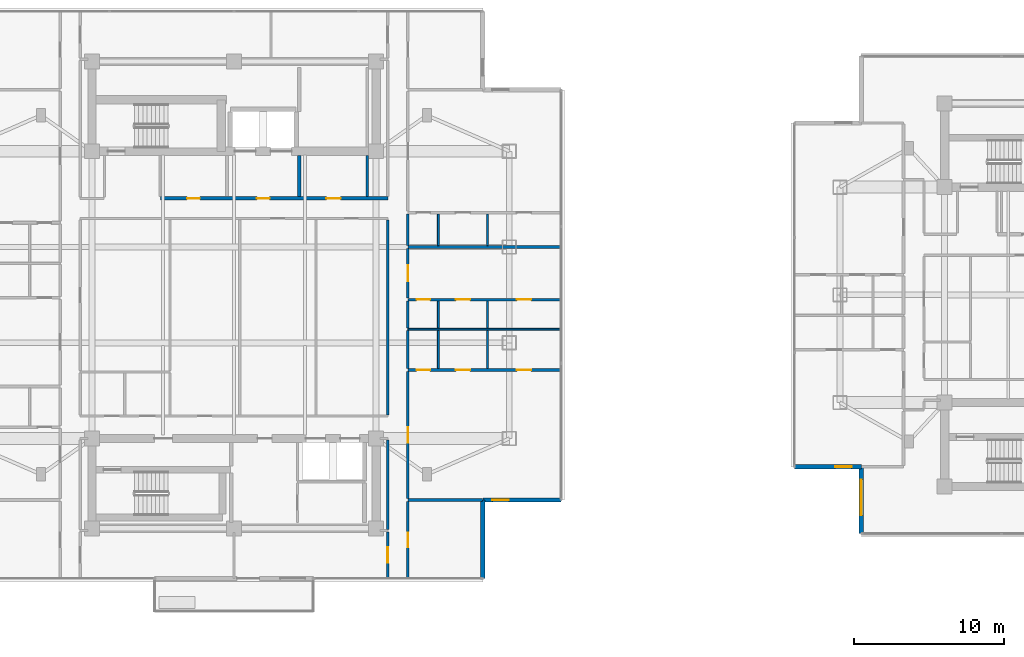
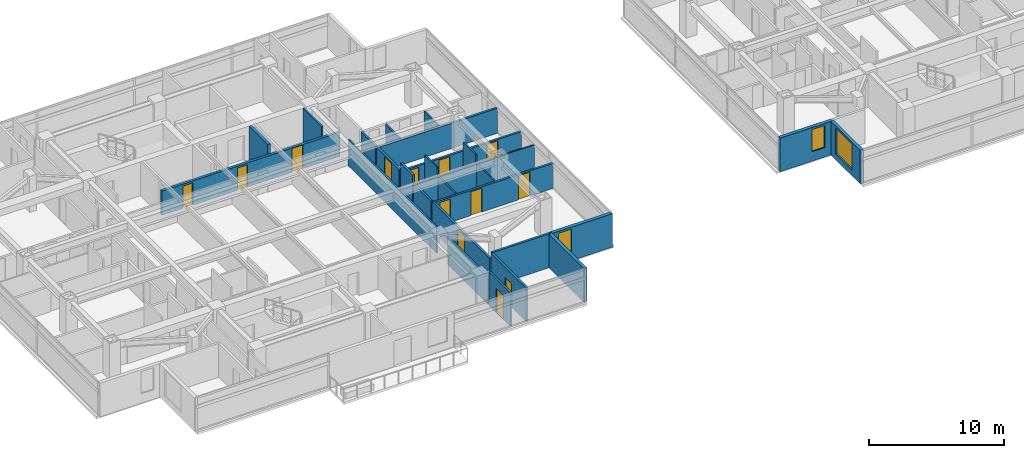
# One storey, part 14 of 25: 27 walls, 13 doors, 3 windows, 16 openings.
"""IFC4 building model written with IfcOpenShell, lengths in metres."""

from ifc_helpers import new_model, si_unit, direction, frame, frame_2d, origin, place, context, subcontext, project, spatial, rectangle, extrude, material, layer, layer_set, type_object, element, fill, save


model = new_model("IFC4")

# Units and contexts
model_context = context("Model", 3, precision=1e-05, world=origin(), true_north=direction((0.0, 1.0)))
body_context = subcontext(model_context, "Body", "Model", "MODEL_VIEW")
ifc_project = project(units=[si_unit("LENGTHUNIT", "METRE"), si_unit("AREAUNIT", "SQUARE_METRE"), si_unit("VOLUMEUNIT", "CUBIC_METRE"), si_unit("PLANEANGLEUNIT", "RADIAN"), si_unit("MASSUNIT", "GRAM", prefix="KILO")], contexts=[model_context])

# Site, building, storey
site_placement = place(None, origin())
site = spatial("IfcSite", under=ifc_project, at=site_placement, CompositionType="ELEMENT")
building_placement = place(site_placement, origin())
building = spatial("IfcBuilding", under=site, at=building_placement, Name="Mirazonda Arch Towers", CompositionType="ELEMENT")
storey_placement = place(building_placement, frame((0.0, 0.0, 180.39990234375)))
storey = spatial("IfcBuildingStorey", under=building, at=storey_placement, Name="L51", CompositionType="ELEMENT", Elevation=180.39990234375)

# Wall, opening, window
ifc_material_1 = material(Name="Precast Concrete C40/50", Category="concrete")
ifc_layer_1 = layer(ifc_material_1, 0.280029296875, Name="WALL-EXT-WALL-280")
ifc_layer_set_1 = layer_set([ifc_layer_1], Name="Precast Concrete C40/50")
wall_type_1 = type_object("IfcWallType", Name="WALL-EXT-WALL-280", PredefinedType="SOLIDWALL", material=ifc_layer_set_1)
wall_1_placement = place(storey_placement, frame((37.125, 14.291015625, 0.0), z_axis=(0.0, 0.0, 1.0), x_axis=(1.0, 0.0, 0.0)))
wall_1 = element("IfcWall", 1, at=wall_1_placement, inside=storey, type_object=wall_type_1, Name="L51 T1 Corner Notch Return Wall WL-L51-T1-CSE1", PredefinedType="SOLIDWALL", context=body_context, shape_type="SweptSolid", body=[
    extrude(rectangle(XDim=5.2451171875, YDim=0.280029296875, at=frame_2d((2.62255859375, 0.0))), origin(), (0.0, 0.0, 1.0), 3.030029296875),
])
opening_1_placement = place(wall_1_placement, frame((0.64990234375, 0.0, 0.85009765625)))
opening_1 = element("IfcOpeningElement", 2, at=opening_1_placement, cuts=wall_1, Name="Opening WN-108", PredefinedType="OPENING", context=body_context, shape_type="SweptSolid", body=[
    extrude(rectangle(XDim=1.10009765625, YDim=2.0, at=frame_2d((0.550048828125, 1.0))), frame((0.0, 0.14990234375, 0.0), z_axis=(0.0, -1.0, 0.0), x_axis=(1.0, 0.0, 0.0)), (0.0, 0.0, 1.0), 0.300048828125),
])
ifc_material_2 = material(Name="Insulated Low-E Solar Glass", Category="glass")
window_type_1 = type_object("IfcWindowType", Name="WIN-NOTCH-1100x2000", PartitioningType="SINGLE_PANEL", PredefinedType="WINDOW", material=ifc_material_2)
window_1_placement = place(opening_1_placement, origin())
window_1 = element("IfcWindow", 3, at=window_1_placement, inside=storey, type_object=window_type_1, Name="L51 Punched Facade Window WN-L51-T1-CSE1", OverallHeight=2.0, OverallWidth=1.10009765625, PartitioningType="SINGLE_PANEL", PredefinedType="WINDOW", context=body_context, shape_type="SweptSolid", body=[
    extrude(rectangle(XDim=1.10009765625, YDim=2.0, at=frame_2d((0.550048828125, 1.0))), frame((0.0, 0.030029296875, 0.0), z_axis=(0.0, -1.0, 0.0), x_axis=(1.0, 0.0, 0.0)), (0.0, 0.0, 1.0), 0.06005859375),
])
fill(opening_1, window_1)

# Wall
wall_2_placement = place(storey_placement, frame((37.125, 9.0458984375, 0.0), z_axis=(0.0, 0.0, 1.0), x_axis=(0.0, 1.0, 0.0)))
element("IfcWall", 4, at=wall_2_placement, inside=storey, type_object=wall_type_1, Name="L51 T1 Corner Notch Return Wall WL-L51-T1-CSE2", PredefinedType="SOLIDWALL", context=body_context, shape_type="SweptSolid", body=[
    extrude(rectangle(XDim=5.2451171875, YDim=0.280029296875, at=frame_2d((2.62255859375, 0.0))), origin(), (0.0, 0.0, 1.0), 3.030029296875),
])

# Wall, opening, window
wall_3_placement = place(storey_placement, frame((62.4287109375, 16.50732421875, 0.0), z_axis=(0.0, 0.0, 1.0), x_axis=(0.0, -1.0, 0.0)))
wall_3 = element("IfcWall", 5, at=wall_3_placement, inside=storey, type_object=wall_type_1, Name="L51 T2 Notched SW Corner Wall WL-L51-T2-CSW", PredefinedType="SOLIDWALL", context=body_context, shape_type="SweptSolid", body=[
    extrude(rectangle(XDim=4.46533203125, YDim=0.280029296875, at=frame_2d((2.232666015625, 0.0))), origin(), (0.0, 0.0, 1.0), 3.030029296875),
])
opening_2_placement = place(wall_3_placement, frame((0.85009765625, 0.0, 0.530029296875)))
opening_2 = element("IfcOpeningElement", 6, at=opening_2_placement, cuts=wall_3, Name="Opening WN-121", PredefinedType="OPENING", context=body_context, shape_type="SweptSolid", body=[
    extrude(rectangle(XDim=2.39990234375, YDim=2.35009765625, at=frame_2d((1.199951171875, 1.175048828125))), frame((0.0, 0.14990234375, 0.0), z_axis=(0.0, -1.0, 0.0), x_axis=(1.0, 0.0, 0.0)), (0.0, 0.0, 1.0), 0.300048828125),
])
window_type_2 = type_object("IfcWindowType", Name="WIN-PENT-2400x2350", PartitioningType="SINGLE_PANEL", PredefinedType="WINDOW", material=ifc_material_2)
window_2_placement = place(opening_2_placement, origin())
window_2 = element("IfcWindow", 7, at=window_2_placement, inside=storey, type_object=window_type_2, Name="L51 Punched Facade Window WN-L51-T2-CSW", OverallHeight=2.35009765625, OverallWidth=2.39990234375, PartitioningType="SINGLE_PANEL", PredefinedType="WINDOW", context=body_context, shape_type="SweptSolid", body=[
    extrude(rectangle(XDim=2.39990234375, YDim=2.35009765625, at=frame_2d((1.199951171875, 1.175048828125))), frame((0.0, 0.030029296875, 0.0), z_axis=(0.0, -1.0, 0.0), x_axis=(1.0, 0.0, 0.0)), (0.0, 0.0, 1.0), 0.06005859375),
])
fill(opening_2, window_2)

wall_4_placement = place(storey_placement, frame((57.96337890625, 16.50732421875, 0.0), z_axis=(0.0, 0.0, 1.0), x_axis=(1.0, 0.0, 0.0)))
wall_4 = element("IfcWall", 8, at=wall_4_placement, inside=storey, type_object=wall_type_1, Name="L51 T2 Corner Notch Return Wall WL-L51-T2-CSW2", PredefinedType="SOLIDWALL", context=body_context, shape_type="SweptSolid", body=[
    extrude(rectangle(XDim=4.46533203125, YDim=0.280029296875, at=frame_2d((2.232666015625, 0.0))), origin(), (0.0, 0.0, 1.0), 3.030029296875),
])
opening_3_placement = place(wall_4_placement, frame((2.715087890625, 0.0, 0.85009765625)))
opening_3 = element("IfcOpeningElement", 9, at=opening_3_placement, cuts=wall_4, Name="Opening WN-108", PredefinedType="OPENING", context=body_context, shape_type="SweptSolid", body=[
    extrude(rectangle(XDim=1.10009765625, YDim=2.0, at=frame_2d((0.550048828125, 1.0))), frame((0.0, 0.14990234375, 0.0), z_axis=(0.0, -1.0, 0.0), x_axis=(1.0, 0.0, 0.0)), (0.0, 0.0, 1.0), 0.300048828125),
])
window_3_placement = place(opening_3_placement, origin())
window_3 = element("IfcWindow", 10, at=window_3_placement, inside=storey, type_object=window_type_1, Name="L51 Punched Facade Window WN-L51-T2-CSW2", OverallHeight=2.0, OverallWidth=1.10009765625, PartitioningType="SINGLE_PANEL", PredefinedType="WINDOW", context=body_context, shape_type="SweptSolid", body=[
    extrude(rectangle(XDim=1.10009765625, YDim=2.0, at=frame_2d((0.550048828125, 1.0))), frame((0.0, 0.030029296875, 0.0), z_axis=(0.0, -1.0, 0.0), x_axis=(1.0, 0.0, 0.0)), (0.0, 0.0, 1.0), 0.06005859375),
])
fill(opening_3, window_3)

# Wall, openings, doors
ifc_material_3 = material(Name="Concrete C40/50", Category="concrete")
ifc_layer_2 = layer(ifc_material_3, 0.219970703125, Name="WALL-FFL-220")
ifc_layer_set_2 = layer_set([ifc_layer_2], Name="Concrete C40/50")
wall_type_2 = type_object("IfcWallType", Name="WALL-FFL-220", PredefinedType="SOLIDWALL", material=ifc_layer_set_2)
wall_5_placement = place(storey_placement, frame((15.590087890625, 34.449951171875, 0.0), z_axis=(0.0, 0.0, 1.0), x_axis=(1.0, 0.0, 0.0)))
wall_5 = element("IfcWall", 11, at=wall_5_placement, inside=storey, type_object=wall_type_2, Name="L51 Interior Partition 049", PredefinedType="SOLIDWALL", context=body_context, shape_type="SweptSolid", body=[
    extrude(rectangle(XDim=15.18994140625, YDim=0.219970703125, at=frame_2d((7.594970703125, 0.0))), origin(), (0.0, 0.0, 1.0), 2.18603515625),
])
opening_4_placement = place(wall_5_placement, frame((6.43505859375, 0.0, 0.0)))
opening_4 = element("IfcOpeningElement", 12, at=opening_4_placement, cuts=wall_5, Name="Opening DR-128", PredefinedType="OPENING", context=body_context, shape_type="SweptSolid", body=[
    extrude(rectangle(XDim=0.85009765625, YDim=2.010009765625, at=frame_2d((0.425048828125, 1.0048828125))), frame((0.0, 0.119873046875, 0.0), z_axis=(0.0, -1.0, 0.0), x_axis=(1.0, 0.0, 0.0)), (0.0, 0.0, 1.0), 0.239990234375),
])
opening_5_placement = place(wall_5_placement, frame((11.0849609375, 0.0, 0.0)))
opening_5 = element("IfcOpeningElement", 13, at=opening_5_placement, cuts=wall_5, Name="Opening DR-104", PredefinedType="OPENING", context=body_context, shape_type="SweptSolid", body=[
    extrude(rectangle(XDim=0.949951171875, YDim=2.14990234375, at=frame_2d((0.47509765625, 1.074951171875))), frame((0.0, 0.119873046875, 0.0), z_axis=(0.0, -1.0, 0.0), x_axis=(1.0, 0.0, 0.0)), (0.0, 0.0, 1.0), 0.239990234375),
])
opening_6_placement = place(wall_5_placement, frame((1.77490234375, 0.0, 0.0)))
opening_6 = element("IfcOpeningElement", 14, at=opening_6_placement, cuts=wall_5, Name="Opening DR-128", PredefinedType="OPENING", context=body_context, shape_type="SweptSolid", body=[
    extrude(rectangle(XDim=0.85009765625, YDim=2.010009765625, at=frame_2d((0.425048828125, 1.0048828125))), frame((0.0, 0.119873046875, 0.0), z_axis=(0.0, -1.0, 0.0), x_axis=(1.0, 0.0, 0.0)), (0.0, 0.0, 1.0), 0.239990234375),
])
ifc_material_4 = material(Name="Architectural Brushed Steel S355", Category="steel")
door_type_1 = type_object("IfcDoorType", Name="DOOR-RISER-FD60-850", OperationType="NOTDEFINED", PredefinedType="DOOR", material=ifc_material_4)
door_1_placement = place(opening_4_placement, origin())
door_1 = element("IfcDoor", 15, at=door_1_placement, inside=storey, type_object=door_type_1, Name="L51 Firefighting Lift Lobby Door", OperationType="SINGLE_SWING_RIGHT", OverallHeight=2.010009765625, OverallWidth=0.85009765625, PredefinedType="DOOR", context=body_context, shape_type="SweptSolid", body=[
    extrude(rectangle(XDim=0.85009765625, YDim=2.010009765625, at=frame_2d((0.425048828125, 1.0048828125))), frame((0.0, 0.02490234375, 0.0), z_axis=(0.0, -1.0, 0.0), x_axis=(1.0, 0.0, 0.0)), (0.0, 0.0, 1.0), 0.050048828125),
])
fill(opening_4, door_1)
door_2_placement = place(opening_6_placement, origin())
door_2 = element("IfcDoor", 16, at=door_2_placement, inside=storey, type_object=door_type_1, Name="L51 Housekeeping Linen Room Door", OperationType="SINGLE_SWING_RIGHT", OverallHeight=2.010009765625, OverallWidth=0.85009765625, PredefinedType="DOOR", context=body_context, shape_type="SweptSolid", body=[
    extrude(rectangle(XDim=0.85009765625, YDim=2.010009765625, at=frame_2d((0.425048828125, 1.0048828125))), frame((0.0, 0.02490234375, 0.0), z_axis=(0.0, -1.0, 0.0), x_axis=(1.0, 0.0, 0.0)), (0.0, 0.0, 1.0), 0.050048828125),
])
fill(opening_6, door_2)
door_type_2 = type_object("IfcDoorType", Name="DOOR-ROOM-950", OperationType="NOTDEFINED", PredefinedType="DOOR", material=ifc_material_4)
door_3_placement = place(opening_5_placement, origin())
door_3 = element("IfcDoor", 17, at=door_3_placement, inside=storey, type_object=door_type_2, Name="L51 Residents Private Art Gallery Door", OperationType="SINGLE_SWING_LEFT", OverallHeight=2.14990234375, OverallWidth=0.949951171875, PredefinedType="DOOR", context=body_context, shape_type="SweptSolid", body=[
    extrude(rectangle(XDim=0.949951171875, YDim=2.14990234375, at=frame_2d((0.47509765625, 1.074951171875))), frame((0.0, 0.02490234375, 0.0), z_axis=(0.0, -1.0, 0.0), x_axis=(1.0, 0.0, 0.0)), (0.0, 0.0, 1.0), 0.050048828125),
])
fill(opening_5, door_3)

# Walls
wall_6_placement = place(storey_placement, frame((24.85009765625, 34.570068359375, 0.0), z_axis=(0.0, 0.0, 1.0), x_axis=(0.0, 1.0, 0.0)))
element("IfcWall", 18, at=wall_6_placement, inside=storey, type_object=wall_type_2, Name="L51 Interior Partition 095", PredefinedType="SOLIDWALL", context=body_context, shape_type="SweptSolid", body=[
    extrude(rectangle(XDim=2.760009765625, YDim=0.219970703125, at=frame_2d((1.3798828125, 0.0))), origin(), (0.0, 0.0, 1.0), 3.050048828125),
])
ifc_material_5 = material(Name="Fire-Rated Gypsum Stud Partition")
ifc_layer_3 = layer(ifc_material_5, 0.14990234375, Name="WALL-PART-CORR-150")
ifc_layer_set_3 = layer_set([ifc_layer_3], Name="Fire-Rated Gypsum Stud Partition")
wall_type_3 = type_object("IfcWallType", Name="WALL-PART-CORR-150", PredefinedType="PARTITIONING", material=ifc_layer_set_3)
wall_7_placement = place(storey_placement, frame((29.39990234375, 34.570068359375, 0.0), z_axis=(0.0, 0.0, 1.0), x_axis=(0.0, 1.0, 0.0)))
element("IfcWall", 19, at=wall_7_placement, inside=storey, type_object=wall_type_3, Name="L51 Interior Partition 100", PredefinedType="PARTITIONING", context=body_context, shape_type="SweptSolid", body=[
    extrude(rectangle(XDim=2.760009765625, YDim=0.14990234375, at=frame_2d((1.3798828125, 0.0))), origin(), (0.0, 0.0, 1.0), 3.050048828125),
])

# Wall, opening, door
wall_8_placement = place(storey_placement, frame((30.780029296875, 9.0458984375, 0.0), z_axis=(0.0, 0.0, 1.0), x_axis=(0.0, 1.0, 0.0)))
wall_8 = element("IfcWall", 20, at=wall_8_placement, inside=storey, type_object=wall_type_3, Name="L51 Interior Partition 102", PredefinedType="PARTITIONING", context=body_context, shape_type="SweptSolid", body=[
    extrude(rectangle(XDim=3.119140625, YDim=0.14990234375, at=frame_2d((1.5595703125, 0.0))), origin(), (0.0, 0.0, 1.0), 3.050048828125),
])
opening_7_placement = place(wall_8_placement, frame((1.034423828125, 0.0, 0.0)))
opening_7 = element("IfcOpeningElement", 21, at=opening_7_placement, cuts=wall_8, Name="Opening DR-121", PredefinedType="OPENING", context=body_context, shape_type="SweptSolid", body=[
    extrude(rectangle(XDim=1.050048828125, YDim=2.199951171875, at=frame_2d((0.52490234375, 1.10009765625))), frame((0.0, 0.0849609375, 0.0), z_axis=(0.0, -1.0, 0.0), x_axis=(1.0, 0.0, 0.0)), (0.0, 0.0, 1.0), 0.169921875),
])
door_type_3 = type_object("IfcDoorType", Name="DOOR-SUITE-FD60-1050", OperationType="NOTDEFINED", PredefinedType="DOOR", material=ifc_material_4)
door_4_placement = place(opening_7_placement, origin())
door_4 = element("IfcDoor", 22, at=door_4_placement, inside=storey, type_object=door_type_3, Name="L51 South Panoramic Study East Door", OperationType="SINGLE_SWING_RIGHT", OverallHeight=2.199951171875, OverallWidth=1.050048828125, PredefinedType="DOOR", context=body_context, shape_type="SweptSolid", body=[
    extrude(rectangle(XDim=1.050048828125, YDim=2.199951171875, at=frame_2d((0.52490234375, 1.10009765625))), frame((0.0, 0.02490234375, 0.0), z_axis=(0.0, -1.0, 0.0), x_axis=(1.0, 0.0, 0.0)), (0.0, 0.0, 1.0), 0.050048828125),
])
fill(opening_7, door_4)

# Walls
wall_9_placement = place(storey_placement, frame((30.780029296875, 12.3349609375, 0.0), z_axis=(0.0, 0.0, 1.0), x_axis=(0.0, 1.0, 0.0)))
element("IfcWall", 23, at=wall_9_placement, inside=storey, type_object=wall_type_3, Name="L51 Interior Partition 103", PredefinedType="PARTITIONING", context=body_context, shape_type="SweptSolid", body=[
    extrude(rectangle(XDim=5.97998046875, YDim=0.14990234375, at=frame_2d((2.989990234375, 0.0))), origin(), (0.0, 0.0, 1.0), 2.442138671875),
])
wall_10_placement = place(storey_placement, frame((30.780029296875, 19.985107421875, 0.0), z_axis=(0.0, 0.0, 1.0), x_axis=(0.0, 1.0, 0.0)))
element("IfcWall", 24, at=wall_10_placement, inside=storey, type_object=wall_type_3, Name="L51 Interior Partition 104", PredefinedType="PARTITIONING", context=body_context, shape_type="SweptSolid", body=[
    extrude(rectangle(XDim=13.02978515625, YDim=0.14990234375, at=frame_2d((6.514892578125, 0.0))), origin(), (0.0, 0.0, 1.0), 2.34619140625),
])
ifc_material_6 = material(Name="Fire-Rated Gypsum Twin-Stud Assembly")
ifc_layer_4 = layer(ifc_material_6, 0.179931640625, Name="WALL-PART-DEMISE-180")
ifc_layer_set_4 = layer_set([ifc_layer_4], Name="Fire-Rated Gypsum Twin-Stud Assembly")
wall_type_4 = type_object("IfcWallType", Name="WALL-PART-DEMISE-180", PredefinedType="PARTITIONING", material=ifc_layer_set_4)
wall_11_placement = place(storey_placement, frame((32.1201171875, 14.291015625, 0.0), z_axis=(0.0, 0.0, 1.0), x_axis=(1.0, 0.0, 0.0)))
element("IfcWall", 25, at=wall_11_placement, inside=storey, type_object=wall_type_4, Name="L51 Interior Partition 005", PredefinedType="PARTITIONING", context=body_context, shape_type="SweptSolid", body=[
    extrude(rectangle(XDim=4.98486328125, YDim=0.179931640625, at=frame_2d((2.492431640625, 0.0))), origin(), (0.0, 0.0, 1.0), 3.050048828125),
])

# Wall, openings, doors
wall_12_placement = place(storey_placement, frame((32.1201171875, 22.986083984375, 0.0), z_axis=(0.0, 0.0, 1.0), x_axis=(1.0, 0.0, 0.0)))
wall_12 = element("IfcWall", 26, at=wall_12_placement, inside=storey, type_object=wall_type_4, Name="L51 Interior Partition 024", PredefinedType="PARTITIONING", context=body_context, shape_type="SweptSolid", body=[
    extrude(rectangle(XDim=10.25, YDim=0.179931640625, at=frame_2d((5.125, 0.0))), origin(), (0.0, 0.0, 1.0), 2.26904296875),
])
opening_8_placement = place(wall_12_placement, frame((7.2919921875, 0.0, 0.0)))
opening_8 = element("IfcOpeningElement", 27, at=opening_8_placement, cuts=wall_12, Name="Opening DR-104", PredefinedType="OPENING", context=body_context, shape_type="SweptSolid", body=[
    extrude(rectangle(XDim=0.949951171875, YDim=2.14990234375, at=frame_2d((0.47509765625, 1.074951171875))), frame((0.0, 0.099853515625, 0.0), z_axis=(0.0, -1.0, 0.0), x_axis=(1.0, 0.0, 0.0)), (0.0, 0.0, 1.0), 0.199951171875),
])
opening_9_placement = place(wall_12_placement, frame((3.20703125, 0.0, 0.0)))
opening_9 = element("IfcOpeningElement", 28, at=opening_9_placement, cuts=wall_12, Name="Opening DR-104", PredefinedType="OPENING", context=body_context, shape_type="SweptSolid", body=[
    extrude(rectangle(XDim=0.949951171875, YDim=2.14990234375, at=frame_2d((0.47509765625, 1.074951171875))), frame((0.0, 0.099853515625, 0.0), z_axis=(0.0, -1.0, 0.0), x_axis=(1.0, 0.0, 0.0)), (0.0, 0.0, 1.0), 0.199951171875),
])
opening_10_placement = place(wall_12_placement, frame((0.590087890625, 0.0, 0.0)))
opening_10 = element("IfcOpeningElement", 29, at=opening_10_placement, cuts=wall_12, Name="Opening DR-120", PredefinedType="OPENING", context=body_context, shape_type="SweptSolid", body=[
    extrude(rectangle(XDim=0.89990234375, YDim=2.10009765625, at=frame_2d((0.449951171875, 1.050048828125))), frame((0.0, 0.099853515625, 0.0), z_axis=(0.0, -1.0, 0.0), x_axis=(1.0, 0.0, 0.0)), (0.0, 0.0, 1.0), 0.199951171875),
])
door_5_placement = place(opening_8_placement, origin())
door_5 = element("IfcDoor", 30, at=door_5_placement, inside=storey, type_object=door_type_2, Name="L51 Residence 1 Principal Bedroom Door", OperationType="SINGLE_SWING_LEFT", OverallHeight=2.14990234375, OverallWidth=0.949951171875, PredefinedType="DOOR", context=body_context, shape_type="SweptSolid", body=[
    extrude(rectangle(XDim=0.949951171875, YDim=2.14990234375, at=frame_2d((0.47509765625, 1.074951171875))), frame((0.0, 0.02490234375, 0.0), z_axis=(0.0, -1.0, 0.0), x_axis=(1.0, 0.0, 0.0)), (0.0, 0.0, 1.0), 0.050048828125),
])
fill(opening_8, door_5)
door_6_placement = place(opening_9_placement, origin())
door_6 = element("IfcDoor", 31, at=door_6_placement, inside=storey, type_object=door_type_2, Name="L51 Residence 1 Fitted Kitchen Door", OperationType="SINGLE_SWING_RIGHT", OverallHeight=2.14990234375, OverallWidth=0.949951171875, PredefinedType="DOOR", context=body_context, shape_type="SweptSolid", body=[
    extrude(rectangle(XDim=0.949951171875, YDim=2.14990234375, at=frame_2d((0.47509765625, 1.074951171875))), frame((0.0, 0.02490234375, 0.0), z_axis=(0.0, -1.0, 0.0), x_axis=(1.0, 0.0, 0.0)), (0.0, 0.0, 1.0), 0.050048828125),
])
fill(opening_9, door_6)
door_type_4 = type_object("IfcDoorType", Name="DOOR-WC-900", OperationType="NOTDEFINED", PredefinedType="DOOR", material=ifc_material_4)
door_7_placement = place(opening_10_placement, origin())
door_7 = element("IfcDoor", 32, at=door_7_placement, inside=storey, type_object=door_type_4, Name="L51 Residence 1 Bathroom Door", OperationType="SINGLE_SWING_LEFT", OverallHeight=2.10009765625, OverallWidth=0.89990234375, PredefinedType="DOOR", context=body_context, shape_type="SweptSolid", body=[
    extrude(rectangle(XDim=0.89990234375, YDim=2.10009765625, at=frame_2d((0.449951171875, 1.050048828125))), frame((0.0, 0.02490234375, 0.0), z_axis=(0.0, -1.0, 0.0), x_axis=(1.0, 0.0, 0.0)), (0.0, 0.0, 1.0), 0.050048828125),
])
fill(opening_10, door_7)

wall_13_placement = place(storey_placement, frame((32.1201171875, 27.68408203125, 0.0), z_axis=(0.0, 0.0, 1.0), x_axis=(1.0, 0.0, 0.0)))
wall_13 = element("IfcWall", 33, at=wall_13_placement, inside=storey, type_object=wall_type_4, Name="L51 Interior Partition 035", PredefinedType="PARTITIONING", context=body_context, shape_type="SweptSolid", body=[
    extrude(rectangle(XDim=10.25, YDim=0.179931640625, at=frame_2d((5.125, 0.0))), origin(), (0.0, 0.0, 1.0), 2.26904296875),
])
opening_11_placement = place(wall_13_placement, frame((7.2919921875, 0.0, 0.0)))
opening_11 = element("IfcOpeningElement", 34, at=opening_11_placement, cuts=wall_13, Name="Opening DR-104", PredefinedType="OPENING", context=body_context, shape_type="SweptSolid", body=[
    extrude(rectangle(XDim=0.949951171875, YDim=2.14990234375, at=frame_2d((0.47509765625, 1.074951171875))), frame((0.0, 0.099853515625, 0.0), z_axis=(0.0, -1.0, 0.0), x_axis=(1.0, 0.0, 0.0)), (0.0, 0.0, 1.0), 0.199951171875),
])
opening_12_placement = place(wall_13_placement, frame((3.20703125, 0.0, 0.0)))
opening_12 = element("IfcOpeningElement", 35, at=opening_12_placement, cuts=wall_13, Name="Opening DR-104", PredefinedType="OPENING", context=body_context, shape_type="SweptSolid", body=[
    extrude(rectangle(XDim=0.949951171875, YDim=2.14990234375, at=frame_2d((0.47509765625, 1.074951171875))), frame((0.0, 0.099853515625, 0.0), z_axis=(0.0, -1.0, 0.0), x_axis=(1.0, 0.0, 0.0)), (0.0, 0.0, 1.0), 0.199951171875),
])
opening_13_placement = place(wall_13_placement, frame((0.590087890625, 0.0, 0.0)))
opening_13 = element("IfcOpeningElement", 36, at=opening_13_placement, cuts=wall_13, Name="Opening DR-120", PredefinedType="OPENING", context=body_context, shape_type="SweptSolid", body=[
    extrude(rectangle(XDim=0.89990234375, YDim=2.10009765625, at=frame_2d((0.449951171875, 1.050048828125))), frame((0.0, 0.099853515625, 0.0), z_axis=(0.0, -1.0, 0.0), x_axis=(1.0, 0.0, 0.0)), (0.0, 0.0, 1.0), 0.199951171875),
])
door_8_placement = place(opening_11_placement, origin())
door_8 = element("IfcDoor", 37, at=door_8_placement, inside=storey, type_object=door_type_2, Name="L51 Residence 2 Principal Bedroom Door", OperationType="SINGLE_SWING_LEFT", OverallHeight=2.14990234375, OverallWidth=0.949951171875, PredefinedType="DOOR", context=body_context, shape_type="SweptSolid", body=[
    extrude(rectangle(XDim=0.949951171875, YDim=2.14990234375, at=frame_2d((0.47509765625, 1.074951171875))), frame((0.0, 0.02490234375, 0.0), z_axis=(0.0, -1.0, 0.0), x_axis=(1.0, 0.0, 0.0)), (0.0, 0.0, 1.0), 0.050048828125),
])
fill(opening_11, door_8)
door_9_placement = place(opening_12_placement, origin())
door_9 = element("IfcDoor", 38, at=door_9_placement, inside=storey, type_object=door_type_2, Name="L51 Residence 2 Fitted Kitchen Door", OperationType="SINGLE_SWING_RIGHT", OverallHeight=2.14990234375, OverallWidth=0.949951171875, PredefinedType="DOOR", context=body_context, shape_type="SweptSolid", body=[
    extrude(rectangle(XDim=0.949951171875, YDim=2.14990234375, at=frame_2d((0.47509765625, 1.074951171875))), frame((0.0, 0.02490234375, 0.0), z_axis=(0.0, -1.0, 0.0), x_axis=(1.0, 0.0, 0.0)), (0.0, 0.0, 1.0), 0.050048828125),
])
fill(opening_12, door_9)
door_10_placement = place(opening_13_placement, origin())
door_10 = element("IfcDoor", 39, at=door_10_placement, inside=storey, type_object=door_type_4, Name="L51 Residence 2 Bathroom Door", OperationType="SINGLE_SWING_LEFT", OverallHeight=2.10009765625, OverallWidth=0.89990234375, PredefinedType="DOOR", context=body_context, shape_type="SweptSolid", body=[
    extrude(rectangle(XDim=0.89990234375, YDim=2.10009765625, at=frame_2d((0.449951171875, 1.050048828125))), frame((0.0, 0.02490234375, 0.0), z_axis=(0.0, -1.0, 0.0), x_axis=(1.0, 0.0, 0.0)), (0.0, 0.0, 1.0), 0.050048828125),
])
fill(opening_13, door_10)

# Wall
wall_14_placement = place(storey_placement, frame((32.1201171875, 31.199951171875, 0.0), z_axis=(0.0, 0.0, 1.0), x_axis=(1.0, 0.0, 0.0)))
element("IfcWall", 40, at=wall_14_placement, inside=storey, type_object=wall_type_4, Name="L51 Interior Partition 041", PredefinedType="PARTITIONING", context=body_context, shape_type="SweptSolid", body=[
    extrude(rectangle(XDim=10.25, YDim=0.179931640625, at=frame_2d((5.125, 0.0))), origin(), (0.0, 0.0, 1.0), 2.26904296875),
])

# Wall, opening, door
wall_15_placement = place(storey_placement, frame((32.1201171875, 9.0458984375, 0.0), z_axis=(0.0, 0.0, 1.0), x_axis=(0.0, 1.0, 0.0)))
wall_15 = element("IfcWall", 41, at=wall_15_placement, inside=storey, type_object=wall_type_4, Name="L51 Interior Partition 107", PredefinedType="PARTITIONING", context=body_context, shape_type="SweptSolid", body=[
    extrude(rectangle(XDim=5.14501953125, YDim=0.179931640625, at=frame_2d((2.572509765625, 0.0))), origin(), (0.0, 0.0, 1.0), 3.050048828125),
])
opening_14_placement = place(wall_15_placement, frame((2.097412109375, 0.0, 0.0)))
opening_14 = element("IfcOpeningElement", 42, at=opening_14_placement, cuts=wall_15, Name="Opening DR-104", PredefinedType="OPENING", context=body_context, shape_type="SweptSolid", body=[
    extrude(rectangle(XDim=0.949951171875, YDim=2.14990234375, at=frame_2d((0.47509765625, 1.074951171875))), frame((0.0, 0.099853515625, 0.0), z_axis=(0.0, -1.0, 0.0), x_axis=(1.0, 0.0, 0.0)), (0.0, 0.0, 1.0), 0.199951171875),
])
door_11_placement = place(opening_14_placement, origin())
door_11 = element("IfcDoor", 43, at=door_11_placement, inside=storey, type_object=door_type_2, Name="L51 South Panoramic Study Alcove East Door", OperationType="SINGLE_SWING_RIGHT", OverallHeight=2.14990234375, OverallWidth=0.949951171875, PredefinedType="DOOR", context=body_context, shape_type="SweptSolid", body=[
    extrude(rectangle(XDim=0.949951171875, YDim=2.14990234375, at=frame_2d((0.47509765625, 1.074951171875))), frame((0.0, 0.02490234375, 0.0), z_axis=(0.0, -1.0, 0.0), x_axis=(1.0, 0.0, 0.0)), (0.0, 0.0, 1.0), 0.050048828125),
])
fill(opening_14, door_11)

wall_16_placement = place(storey_placement, frame((32.1201171875, 14.39111328125, 0.0), z_axis=(0.0, 0.0, 1.0), x_axis=(0.0, 1.0, 0.0)))
wall_16 = element("IfcWall", 44, at=wall_16_placement, inside=storey, type_object=wall_type_4, Name="L51 Interior Partition 108", PredefinedType="PARTITIONING", context=body_context, shape_type="SweptSolid", body=[
    extrude(rectangle(XDim=8.494873046875, YDim=0.179931640625, at=frame_2d((4.24755859375, 0.0))), origin(), (0.0, 0.0, 1.0), 2.442138671875),
])
opening_15_placement = place(wall_16_placement, frame((3.722412109375, 0.0, 0.0)))
opening_15 = element("IfcOpeningElement", 45, at=opening_15_placement, cuts=wall_16, Name="Opening DR-121", PredefinedType="OPENING", context=body_context, shape_type="SweptSolid", body=[
    extrude(rectangle(XDim=1.050048828125, YDim=2.199951171875, at=frame_2d((0.52490234375, 1.10009765625))), frame((0.0, 0.099853515625, 0.0), z_axis=(0.0, -1.0, 0.0), x_axis=(1.0, 0.0, 0.0)), (0.0, 0.0, 1.0), 0.199951171875),
])
door_12_placement = place(opening_15_placement, origin())
door_12 = element("IfcDoor", 46, at=door_12_placement, inside=storey, type_object=door_type_3, Name="L51 Penthouse Residence 1 Living & Dining Salon Door", OperationType="SINGLE_SWING_RIGHT", OverallHeight=2.199951171875, OverallWidth=1.050048828125, PredefinedType="DOOR", context=body_context, shape_type="SweptSolid", body=[
    extrude(rectangle(XDim=1.050048828125, YDim=2.199951171875, at=frame_2d((0.52490234375, 1.10009765625))), frame((0.0, 0.02490234375, 0.0), z_axis=(0.0, -1.0, 0.0), x_axis=(1.0, 0.0, 0.0)), (0.0, 0.0, 1.0), 0.050048828125),
])
fill(opening_15, door_12)

# Walls
wall_17_placement = place(storey_placement, frame((32.1201171875, 23.0859375, 0.0), z_axis=(0.0, 0.0, 1.0), x_axis=(0.0, 1.0, 0.0)))
element("IfcWall", 47, at=wall_17_placement, inside=storey, type_object=wall_type_4, Name="L51 Interior Partition 109", PredefinedType="PARTITIONING", context=body_context, shape_type="SweptSolid", body=[
    extrude(rectangle(XDim=2.547607421875, YDim=0.179931640625, at=frame_2d((1.27392578125, 0.0))), origin(), (0.0, 0.0, 1.0), 2.34619140625),
])
wall_18_placement = place(storey_placement, frame((32.1201171875, 25.778564453125, 0.0), z_axis=(0.0, 0.0, 1.0), x_axis=(0.0, 1.0, 0.0)))
element("IfcWall", 48, at=wall_18_placement, inside=storey, type_object=wall_type_4, Name="L51 Interior Partition 110", PredefinedType="PARTITIONING", context=body_context, shape_type="SweptSolid", body=[
    extrude(rectangle(XDim=1.805419921875, YDim=0.179931640625, at=frame_2d((0.90283203125, 0.0))), origin(), (0.0, 0.0, 1.0), 3.050048828125),
])

# Wall, opening, door
wall_19_placement = place(storey_placement, frame((32.1201171875, 27.783935546875, 0.0), z_axis=(0.0, 0.0, 1.0), x_axis=(0.0, 1.0, 0.0)))
wall_19 = element("IfcWall", 49, at=wall_19_placement, inside=storey, type_object=wall_type_4, Name="L51 Interior Partition 111", PredefinedType="PARTITIONING", context=body_context, shape_type="SweptSolid", body=[
    extrude(rectangle(XDim=3.316162109375, YDim=0.179931640625, at=frame_2d((1.658203125, 0.0))), origin(), (0.0, 0.0, 1.0), 2.34619140625),
])
opening_16_placement = place(wall_19_placement, frame((1.133056640625, 0.0, 0.0)))
opening_16 = element("IfcOpeningElement", 50, at=opening_16_placement, cuts=wall_19, Name="Opening DR-121", PredefinedType="OPENING", context=body_context, shape_type="SweptSolid", body=[
    extrude(rectangle(XDim=1.050048828125, YDim=2.199951171875, at=frame_2d((0.52490234375, 1.10009765625))), frame((0.0, 0.099853515625, 0.0), z_axis=(0.0, -1.0, 0.0), x_axis=(1.0, 0.0, 0.0)), (0.0, 0.0, 1.0), 0.199951171875),
])
door_13_placement = place(opening_16_placement, origin())
door_13 = element("IfcDoor", 51, at=door_13_placement, inside=storey, type_object=door_type_3, Name="L51 Residence 2 Living & Dining Salon Door", OperationType="SINGLE_SWING_RIGHT", OverallHeight=2.199951171875, OverallWidth=1.050048828125, PredefinedType="DOOR", context=body_context, shape_type="SweptSolid", body=[
    extrude(rectangle(XDim=1.050048828125, YDim=2.199951171875, at=frame_2d((0.52490234375, 1.10009765625))), frame((0.0, 0.02490234375, 0.0), z_axis=(0.0, -1.0, 0.0), x_axis=(1.0, 0.0, 0.0)), (0.0, 0.0, 1.0), 0.050048828125),
])
fill(opening_16, door_13)

# Walls
wall_20_placement = place(storey_placement, frame((32.1201171875, 31.300048828125, 0.0), z_axis=(0.0, 0.0, 1.0), x_axis=(0.0, 1.0, 0.0)))
element("IfcWall", 52, at=wall_20_placement, inside=storey, type_object=wall_type_4, Name="L51 Interior Partition 112", PredefinedType="PARTITIONING", context=body_context, shape_type="SweptSolid", body=[
    extrude(rectangle(XDim=2.099853515625, YDim=0.179931640625, at=frame_2d((1.0498046875, 0.0))), origin(), (0.0, 0.0, 1.0), 2.34619140625),
])
ifc_material_7 = material(Name="Acoustic Fire-Rated Gypsum Partition")
ifc_layer_5 = layer(ifc_material_7, 0.125, Name="WALL-PART-UNIT-125")
ifc_layer_set_5 = layer_set([ifc_layer_5], Name="Acoustic Fire-Rated Gypsum Partition")
wall_type_5 = type_object("IfcWallType", Name="WALL-PART-UNIT-125", PredefinedType="PARTITIONING", material=ifc_layer_set_5)
wall_21_placement = place(storey_placement, frame((32.1201171875, 25.7060546875, 0.0), z_axis=(0.0, 0.0, 1.0), x_axis=(1.0, 0.0, 0.0)))
element("IfcWall", 53, at=wall_21_placement, inside=storey, type_object=wall_type_5, Name="L51 Interior Partition 030", PredefinedType="PARTITIONING", context=body_context, shape_type="SweptSolid", body=[
    extrude(rectangle(XDim=10.25, YDim=0.125, at=frame_2d((5.125, 0.0))), origin(), (0.0, 0.0, 1.0), 2.26904296875),
])
wall_22_placement = place(storey_placement, frame((34.159912109375, 23.0859375, 0.0), z_axis=(0.0, 0.0, 1.0), x_axis=(0.0, 1.0, 0.0)))
element("IfcWall", 54, at=wall_22_placement, inside=storey, type_object=wall_type_5, Name="L51 Interior Partition 115", PredefinedType="PARTITIONING", context=body_context, shape_type="SweptSolid", body=[
    extrude(rectangle(XDim=2.547607421875, YDim=0.125, at=frame_2d((1.27392578125, 0.0))), origin(), (0.0, 0.0, 1.0), 2.34619140625),
])
wall_23_placement = place(storey_placement, frame((34.159912109375, 25.778564453125, 0.0), z_axis=(0.0, 0.0, 1.0), x_axis=(0.0, 1.0, 0.0)))
element("IfcWall", 55, at=wall_23_placement, inside=storey, type_object=wall_type_5, Name="L51 Interior Partition 116", PredefinedType="PARTITIONING", context=body_context, shape_type="SweptSolid", body=[
    extrude(rectangle(XDim=1.805419921875, YDim=0.125, at=frame_2d((0.90283203125, 0.0))), origin(), (0.0, 0.0, 1.0), 3.050048828125),
])
wall_24_placement = place(storey_placement, frame((34.159912109375, 31.300048828125, 0.0), z_axis=(0.0, 0.0, 1.0), x_axis=(0.0, 1.0, 0.0)))
element("IfcWall", 56, at=wall_24_placement, inside=storey, type_object=wall_type_5, Name="L51 Interior Partition 117", PredefinedType="PARTITIONING", context=body_context, shape_type="SweptSolid", body=[
    extrude(rectangle(XDim=2.099853515625, YDim=0.125, at=frame_2d((1.0498046875, 0.0))), origin(), (0.0, 0.0, 1.0), 2.34619140625),
])
wall_25_placement = place(storey_placement, frame((37.444091796875, 23.0859375, 0.0), z_axis=(0.0, 0.0, 1.0), x_axis=(0.0, 1.0, 0.0)))
element("IfcWall", 57, at=wall_25_placement, inside=storey, type_object=wall_type_5, Name="L51 Interior Partition 118", PredefinedType="PARTITIONING", context=body_context, shape_type="SweptSolid", body=[
    extrude(rectangle(XDim=2.547607421875, YDim=0.125, at=frame_2d((1.27392578125, 0.0))), origin(), (0.0, 0.0, 1.0), 2.34619140625),
])
wall_26_placement = place(storey_placement, frame((37.444091796875, 25.778564453125, 0.0), z_axis=(0.0, 0.0, 1.0), x_axis=(0.0, 1.0, 0.0)))
element("IfcWall", 58, at=wall_26_placement, inside=storey, type_object=wall_type_5, Name="L51 Interior Partition 119", PredefinedType="PARTITIONING", context=body_context, shape_type="SweptSolid", body=[
    extrude(rectangle(XDim=1.805419921875, YDim=0.125, at=frame_2d((0.90283203125, 0.0))), origin(), (0.0, 0.0, 1.0), 3.050048828125),
])
wall_27_placement = place(storey_placement, frame((37.444091796875, 31.300048828125, 0.0), z_axis=(0.0, 0.0, 1.0), x_axis=(0.0, 1.0, 0.0)))
element("IfcWall", 59, at=wall_27_placement, inside=storey, type_object=wall_type_5, Name="L51 Interior Partition 120", PredefinedType="PARTITIONING", context=body_context, shape_type="SweptSolid", body=[
    extrude(rectangle(XDim=2.099853515625, YDim=0.125, at=frame_2d((1.0498046875, 0.0))), origin(), (0.0, 0.0, 1.0), 2.34619140625),
])

save(model, "model.ifc")
